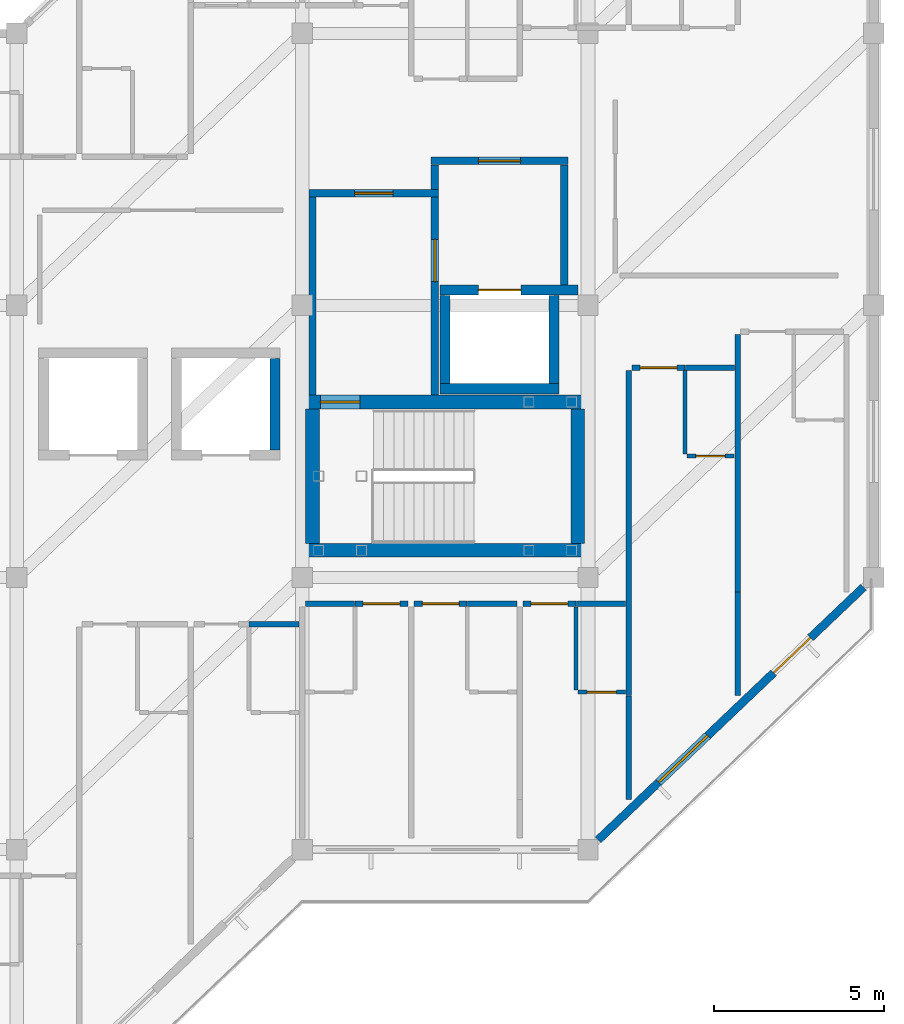
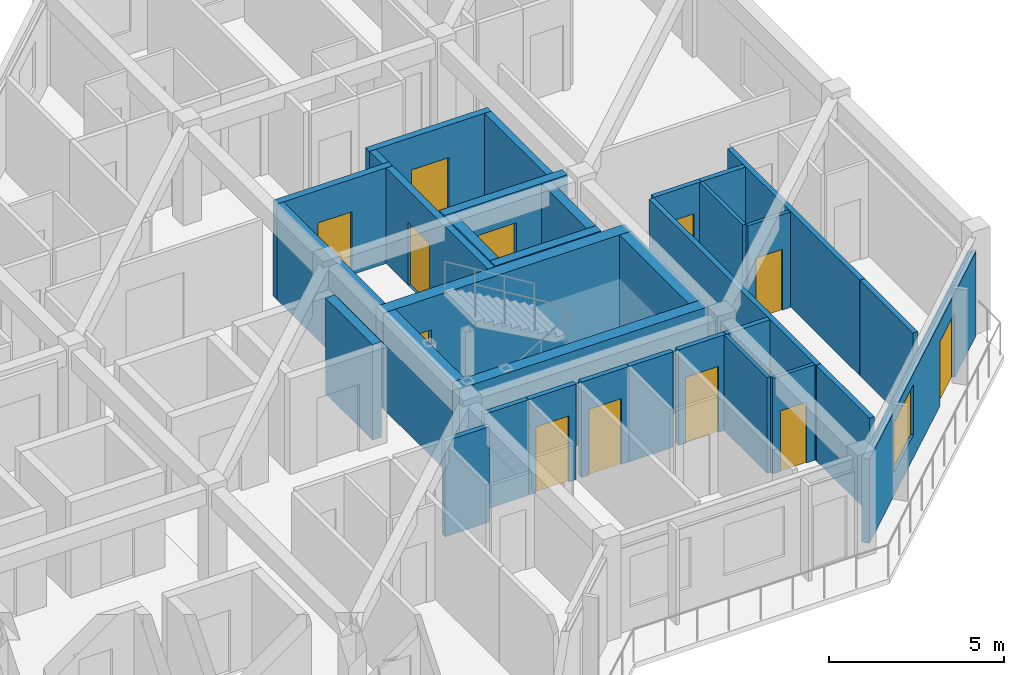
# One storey, part 9 of 14: 33 walls, 12 doors, 1 window, 13 openings.
"""IFC4 building model written with IfcOpenShell, lengths in metres."""

from ifc_helpers import new_model, si_unit, direction, frame, frame_2d, origin, place, context, subcontext, project, spatial, rectangle, extrude, material, layer, layer_set, type_object, element, fill, save


model = new_model("IFC4")

# Units and contexts
model_context = context("Model", 3, precision=1e-05, world=origin(), true_north=direction((0.0, 1.0)))
body_context = subcontext(model_context, "Body", "Model", "MODEL_VIEW")
ifc_project = project(units=[si_unit("LENGTHUNIT", "METRE"), si_unit("AREAUNIT", "SQUARE_METRE"), si_unit("VOLUMEUNIT", "CUBIC_METRE"), si_unit("PLANEANGLEUNIT", "RADIAN"), si_unit("MASSUNIT", "GRAM", prefix="KILO")], contexts=[model_context])

# Site, building, storey
site_placement = place(None, origin())
site = spatial("IfcSite", under=ifc_project, at=site_placement, CompositionType="ELEMENT")
building_placement = place(site_placement, origin())
building = spatial("IfcBuilding", under=site, at=building_placement, Name="Naruveol Harbour Congress Hotel", CompositionType="ELEMENT")
storey_placement = place(building_placement, frame((0.0, 0.0, 39.60009765625)))
storey = spatial("IfcBuildingStorey", under=building, at=storey_placement, Name="L09", CompositionType="ELEMENT", Elevation=39.60009765625)

# Wall
ifc_material_1 = material(Name="Moisture-Resistant Gypsum Partition", Category="gypsum")
ifc_layer_1 = layer(ifc_material_1, 0.114990234375)
ifc_layer_set_1 = layer_set([ifc_layer_1], Name="Moisture-Resistant Gypsum Partition")
wall_type_1 = type_object("IfcWallType", Name="BATHROOM MOISTURE PARTITION WALL 115", PredefinedType="PARTITIONING", material=ifc_layer_set_1)
wall_1_placement = place(storey_placement, frame((159.25, 12.68994140625, 0.0), z_axis=(0.0, 0.0, 1.0), x_axis=(0.0, 1.0, 0.0)))
element("IfcWall", 1, at=wall_1_placement, inside=storey, type_object=wall_type_1, Name="Bathroom west wall 1063 PW-115", PredefinedType="PARTITIONING", context=body_context, shape_type="SweptSolid", body=[
    extrude(rectangle(XDim=2.449951171875, YDim=0.114990234375, at=frame_2d((1.22509765625, 0.0))), origin(), (0.0, 0.0, 1.0), 3.3349609375),
])

# Wall, opening, door
wall_2_placement = place(storey_placement, frame((159.31005859375, 12.6298828125, 0.0), z_axis=(0.0, 0.0, 1.0), x_axis=(1.0, 0.0, 0.0)))
wall_2 = element("IfcWall", 2, at=wall_2_placement, inside=storey, type_object=wall_type_1, Name="Bathroom south wall 1063 PW-115", PredefinedType="PARTITIONING", context=body_context, shape_type="SweptSolid", body=[
    extrude(rectangle(XDim=1.389892578125, YDim=0.114990234375, at=frame_2d((0.69482421875, 0.0))), origin(), (0.0, 0.0, 1.0), 3.3349609375),
])
opening_1_placement = place(wall_2_placement, frame((0.264892578125, 0.0, 0.0)))
opening_1 = element("IfcOpeningElement", 3, at=opening_1_placement, cuts=wall_2, Name="Opening BD-RM1063", PredefinedType="OPENING", context=body_context, shape_type="SweptSolid", body=[
    extrude(rectangle(XDim=0.860107421875, YDim=2.1201171875, at=frame_2d((0.43017578125, 1.06005859375))), frame((0.0, 0.0673828125, 0.0), z_axis=(0.0, -1.0, 0.0), x_axis=(1.0, 0.0, 0.0)), (0.0, 0.0, 1.0), 0.135009765625),
])
ifc_material_2 = material(Name="Timber & Steel Acoustic Leaf", Category="steel")
door_type_1 = type_object("IfcDoorType", Name="GUEST BATHROOM DOOR 860X2120", OperationType="NOTDEFINED", PredefinedType="DOOR", material=ifc_material_2)
door_1_placement = place(opening_1_placement, origin())
door_1 = element("IfcDoor", 4, at=door_1_placement, inside=storey, type_object=door_type_1, Name="Bathroom Door 1063", OperationType="SINGLE_SWING_RIGHT", OverallHeight=2.1201171875, OverallWidth=0.860107421875, PredefinedType="DOOR", context=body_context, shape_type="SweptSolid", body=[
    extrude(rectangle(XDim=0.860107421875, YDim=2.1201171875, at=frame_2d((0.43017578125, 1.06005859375))), frame((0.0, 0.02490234375, 0.0), z_axis=(0.0, -1.0, 0.0), x_axis=(1.0, 0.0, 0.0)), (0.0, 0.0, 1.0), 0.050048828125),
])
fill(opening_1, door_1)

# Wall
wall_3_placement = place(storey_placement, frame((162.449951171875, 19.6298828125, 0.0), z_axis=(0.0, 0.0, 1.0), x_axis=(0.0, 1.0, 0.0)))
element("IfcWall", 5, at=wall_3_placement, inside=storey, type_object=wall_type_1, Name="Bathroom west wall 1064 PW-115", PredefinedType="PARTITIONING", context=body_context, shape_type="SweptSolid", body=[
    extrude(rectangle(XDim=2.4501953125, YDim=0.114990234375, at=frame_2d((1.22509765625, 0.0))), origin(), (0.0, 0.0, 1.0), 3.3349609375),
])

# Wall, opening, door
wall_4_placement = place(storey_placement, frame((162.510009765625, 19.570068359375, 0.0), z_axis=(0.0, 0.0, 1.0), x_axis=(1.0, 0.0, 0.0)))
wall_4 = element("IfcWall", 6, at=wall_4_placement, inside=storey, type_object=wall_type_1, Name="Bathroom south wall 1064 PW-115", PredefinedType="PARTITIONING", context=body_context, shape_type="SweptSolid", body=[
    extrude(rectangle(XDim=1.389892578125, YDim=0.114990234375, at=frame_2d((0.69482421875, 0.0))), origin(), (0.0, 0.0, 1.0), 3.3349609375),
])
opening_2_placement = place(wall_4_placement, frame((0.264892578125, 0.0, 0.0)))
opening_2 = element("IfcOpeningElement", 7, at=opening_2_placement, cuts=wall_4, Name="Opening BD-RM1064", PredefinedType="OPENING", context=body_context, shape_type="SweptSolid", body=[
    extrude(rectangle(XDim=0.860107421875, YDim=2.1201171875, at=frame_2d((0.43017578125, 1.06005859375))), frame((0.0, 0.0673828125, 0.0), z_axis=(0.0, -1.0, 0.0), x_axis=(1.0, 0.0, 0.0)), (0.0, 0.0, 1.0), 0.135009765625),
])
door_2_placement = place(opening_2_placement, origin())
door_2 = element("IfcDoor", 8, at=door_2_placement, inside=storey, type_object=door_type_1, Name="Bathroom Door 1064", OperationType="SINGLE_SWING_RIGHT", OverallHeight=2.1201171875, OverallWidth=0.860107421875, PredefinedType="DOOR", context=body_context, shape_type="SweptSolid", body=[
    extrude(rectangle(XDim=0.860107421875, YDim=2.1201171875, at=frame_2d((0.43017578125, 1.06005859375))), frame((0.0, 0.02490234375, 0.0), z_axis=(0.0, -1.0, 0.0), x_axis=(1.0, 0.0, 0.0)), (0.0, 0.0, 1.0), 0.050048828125),
])
fill(opening_2, door_2)

# Wall
ifc_material_3 = material(Name="Concrete C40/50", Category="concrete")
ifc_layer_2 = layer(ifc_material_3, 0.219970703125)
ifc_layer_set_2 = layer_set([ifc_layer_2], Name="Concrete C40/50")
wall_type_2 = type_object("IfcWallType", Name="FIRE COMPARTMENT AND LOBBY WALL 220 EI120", PredefinedType="PARTITIONING", material=ifc_layer_set_2)
wall_5_placement = place(storey_placement, frame((151.5, 21.364990234375, 0.0), z_axis=(0.0, 0.0, 1.0), x_axis=(0.0, 1.0, 0.0)))
element("IfcWall", 9, at=wall_5_placement, inside=storey, type_object=wall_type_2, Name="Smoke vestibule ST2 west wall FW-220", PredefinedType="PARTITIONING", context=body_context, shape_type="SweptSolid", body=[
    extrude(rectangle(XDim=5.820068359375, YDim=0.219970703125, at=frame_2d((2.91015625, 0.0))), origin(), (0.0, 0.0, 1.0), 3.3349609375),
])

# Wall, opening, door
wall_6_placement = place(storey_placement, frame((151.389892578125, 27.300048828125, 0.0), z_axis=(0.0, 0.0, 1.0), x_axis=(1.0, 0.0, 0.0)))
wall_6 = element("IfcWall", 10, at=wall_6_placement, inside=storey, type_object=wall_type_2, Name="Smoke vestibule ST2 north wall FW-220", PredefinedType="PARTITIONING", context=body_context, shape_type="SweptSolid", body=[
    extrude(rectangle(XDim=3.820068359375, YDim=0.219970703125, at=frame_2d((1.91015625, 0.0))), origin(), (0.0, 0.0, 1.0), 3.3349609375),
])
opening_3_placement = place(wall_6_placement, frame((1.35009765625, 0.0, 0.0)))
opening_3 = element("IfcOpeningElement", 11, at=opening_3_placement, cuts=wall_6, Name="Opening FD-ST2-V-L09", PredefinedType="OPENING", context=body_context, shape_type="SweptSolid", body=[
    extrude(rectangle(XDim=1.1201171875, YDim=2.199951171875, at=frame_2d((0.56005859375, 1.10009765625))), frame((0.0, 0.119873046875, 0.0), z_axis=(0.0, -1.0, 0.0), x_axis=(1.0, 0.0, 0.0)), (0.0, 0.0, 1.0), 0.239990234375),
])
ifc_material_4 = material(Name="Timber & Steel Acoustic Leaf", Category="steel")
door_type_2 = type_object("IfcDoorType", Name="VESTIBULE SMOKE CONTROL FIRE DOOR 1120X2200", OperationType="NOTDEFINED", PredefinedType="DOOR", material=ifc_material_4)
door_3_placement = place(opening_3_placement, origin())
door_3 = element("IfcDoor", 12, at=door_3_placement, inside=storey, type_object=door_type_2, Name="Smoke Vestibule Entry Door ST2 L09", OperationType="SINGLE_SWING_LEFT", OverallHeight=2.199951171875, OverallWidth=1.1201171875, PredefinedType="DOOR", context=body_context, shape_type="SweptSolid", body=[
    extrude(rectangle(XDim=1.1201171875, YDim=2.199951171875, at=frame_2d((0.56005859375, 1.10009765625))), frame((0.0, 0.02490234375, 0.0), z_axis=(0.0, -1.0, 0.0), x_axis=(1.0, 0.0, 0.0)), (0.0, 0.0, 1.0), 0.050048828125),
])
fill(opening_3, door_3)

wall_7_placement = place(storey_placement, frame((155.10009765625, 21.364990234375, 0.0), z_axis=(0.0, 0.0, 1.0), x_axis=(0.0, 1.0, 0.0)))
wall_7 = element("IfcWall", 13, at=wall_7_placement, inside=storey, type_object=wall_type_2, Name="Smoke vestibule ST2 east wall FW-220", PredefinedType="PARTITIONING", context=body_context, shape_type="SweptSolid", body=[
    extrude(rectangle(XDim=5.820068359375, YDim=0.219970703125, at=frame_2d((2.91015625, 0.0))), origin(), (0.0, 0.0, 1.0), 3.3349609375),
])
opening_4_placement = place(wall_7_placement, frame((3.3349609375, 0.0, 0.0)))
opening_4 = element("IfcOpeningElement", 14, at=opening_4_placement, cuts=wall_7, Name="Opening FD-FFL-ST2-L09", PredefinedType="OPENING", context=body_context, shape_type="SweptSolid", body=[
    extrude(rectangle(XDim=1.239990234375, YDim=2.199951171875, at=frame_2d((0.6201171875, 1.10009765625))), frame((0.0, 0.119873046875, 0.0), z_axis=(0.0, -1.0, 0.0), x_axis=(1.0, 0.0, 0.0)), (0.0, 0.0, 1.0), 0.239990234375),
])
ifc_material_5 = material(Name="Timber & Steel Acoustic Leaf", Category="steel")
door_type_3 = type_object("IfcDoorType", Name="FIREFIGHTING LOBBY FIRE DOOR 1240X2200", OperationType="NOTDEFINED", PredefinedType="DOOR", material=ifc_material_5)
door_4_placement = place(opening_4_placement, origin())
door_4 = element("IfcDoor", 15, at=door_4_placement, inside=storey, type_object=door_type_3, Name="Firefighting Lobby Vestibule Door ST2 L09", OperationType="SINGLE_SWING_RIGHT", OverallHeight=2.199951171875, OverallWidth=1.239990234375, PredefinedType="DOOR", context=body_context, shape_type="SweptSolid", body=[
    extrude(rectangle(XDim=1.239990234375, YDim=2.199951171875, at=frame_2d((0.6201171875, 1.10009765625))), frame((0.0, 0.02490234375, 0.0), z_axis=(0.0, -1.0, 0.0), x_axis=(1.0, 0.0, 0.0)), (0.0, 0.0, 1.0), 0.050048828125),
])
fill(opening_4, door_4)

# Walls
wall_8_placement = place(storey_placement, frame((155.10009765625, 27.4150390625, 0.0), z_axis=(0.0, 0.0, 1.0), x_axis=(0.0, 1.0, 0.0)))
element("IfcWall", 16, at=wall_8_placement, inside=storey, type_object=wall_type_2, Name="Firefighting lift lobby ST2 upper west wall FW-220", PredefinedType="PARTITIONING", context=body_context, shape_type="SweptSolid", body=[
    extrude(rectangle(XDim=0.719970703125, YDim=0.219970703125, at=frame_2d((0.35986328125, 0.0))), origin(), (0.0, 0.0, 1.0), 3.3349609375),
])
wall_9_placement = place(storey_placement, frame((158.89990234375, 24.60498046875, 0.0), z_axis=(0.0, 0.0, 1.0), x_axis=(0.0, 1.0, 0.0)))
element("IfcWall", 17, at=wall_9_placement, inside=storey, type_object=wall_type_2, Name="Firefighting lift lobby ST2 east wall FW-220", PredefinedType="PARTITIONING", context=body_context, shape_type="SweptSolid", body=[
    extrude(rectangle(XDim=3.530029296875, YDim=0.219970703125, at=frame_2d((1.76513671875, 0.0))), origin(), (0.0, 0.0, 1.0), 3.3349609375),
])

# Wall, opening, door
wall_10_placement = place(storey_placement, frame((154.989990234375, 28.25, 0.0), z_axis=(0.0, 0.0, 1.0), x_axis=(1.0, 0.0, 0.0)))
wall_10 = element("IfcWall", 18, at=wall_10_placement, inside=storey, type_object=wall_type_2, Name="Firefighting lift lobby ST2 north wall FW-220", PredefinedType="PARTITIONING", context=body_context, shape_type="SweptSolid", body=[
    extrude(rectangle(XDim=4.02001953125, YDim=0.219970703125, at=frame_2d((2.010009765625, 0.0))), origin(), (0.0, 0.0, 1.0), 3.3349609375),
])
opening_5_placement = place(wall_10_placement, frame((1.389892578125, 0.0, 0.0)))
opening_5 = element("IfcOpeningElement", 19, at=opening_5_placement, cuts=wall_10, Name="Opening FD-FFC-ST2-L09", PredefinedType="OPENING", context=body_context, shape_type="SweptSolid", body=[
    extrude(rectangle(XDim=1.239990234375, YDim=2.199951171875, at=frame_2d((0.6201171875, 1.10009765625))), frame((0.0, 0.119873046875, 0.0), z_axis=(0.0, -1.0, 0.0), x_axis=(1.0, 0.0, 0.0)), (0.0, 0.0, 1.0), 0.239990234375),
])
door_5_placement = place(opening_5_placement, origin())
door_5 = element("IfcDoor", 20, at=door_5_placement, inside=storey, type_object=door_type_3, Name="Firefighting Lobby Corridor Door ST2 L09", OperationType="SINGLE_SWING_LEFT", OverallHeight=2.199951171875, OverallWidth=1.239990234375, PredefinedType="DOOR", context=body_context, shape_type="SweptSolid", body=[
    extrude(rectangle(XDim=1.239990234375, YDim=2.199951171875, at=frame_2d((0.6201171875, 1.10009765625))), frame((0.0, 0.02490234375, 0.0), z_axis=(0.0, -1.0, 0.0), x_axis=(1.0, 0.0, 0.0)), (0.0, 0.0, 1.0), 0.050048828125),
])
fill(opening_5, door_5)

# Walls
ifc_material_6 = material(Name="Autoclaved Aerated Concrete Block", Category="concrete")
ifc_layer_3 = layer(ifc_material_6, 0.159912109375)
ifc_layer_set_3 = layer_set([ifc_layer_3], Name="Autoclaved Aerated Concrete Block")
wall_type_3 = type_object("IfcWallType", Name="HOTEL PARTY AND CORRIDOR WALL 160 EI60", PredefinedType="PARTITIONING", material=ifc_layer_set_3)
wall_11_placement = place(storey_placement, frame((149.639892578125, 14.6298828125, 0.0), z_axis=(0.0, 0.0, 1.0), x_axis=(1.0, 0.0, 0.0)))
element("IfcWall", 21, at=wall_11_placement, inside=storey, type_object=wall_type_3, Name="Corridor wall 1060B PW-160", PredefinedType="PARTITIONING", context=body_context, shape_type="SweptSolid", body=[
    extrude(rectangle(XDim=1.47021484375, YDim=0.159912109375, at=frame_2d((0.735107421875, 0.0))), origin(), (0.0, 0.0, 1.0), 3.3349609375),
])
wall_12_placement = place(storey_placement, frame((151.2900390625, 15.22998046875, 0.0), z_axis=(0.0, 0.0, 1.0), x_axis=(1.0, 0.0, 0.0)))
element("IfcWall", 22, at=wall_12_placement, inside=storey, type_object=wall_type_3, Name="Corridor wall 1061B PW-160", PredefinedType="PARTITIONING", context=body_context, shape_type="SweptSolid", body=[
    extrude(rectangle(XDim=1.449951171875, YDim=0.159912109375, at=frame_2d((0.72509765625, 0.0))), origin(), (0.0, 0.0, 1.0), 3.3349609375),
])

# Wall, opening, door
wall_13_placement = place(storey_placement, frame((152.75, 15.22998046875, 0.0), z_axis=(0.0, 0.0, 1.0), x_axis=(1.0, 0.0, 0.0)))
wall_13 = element("IfcWall", 23, at=wall_13_placement, inside=storey, type_object=wall_type_3, Name="Corridor entry wall 1061 PW-160", PredefinedType="PARTITIONING", context=body_context, shape_type="SweptSolid", body=[
    extrude(rectangle(XDim=1.56005859375, YDim=0.159912109375, at=frame_2d((0.780029296875, 0.0))), origin(), (0.0, 0.0, 1.0), 3.3349609375),
])
opening_6_placement = place(wall_13_placement, frame((0.239990234375, 0.0, 0.0)))
opening_6 = element("IfcOpeningElement", 24, at=opening_6_placement, cuts=wall_13, Name="Opening FD-RM1061", PredefinedType="OPENING", context=body_context, shape_type="SweptSolid", body=[
    extrude(rectangle(XDim=1.080078125, YDim=2.300048828125, at=frame_2d((0.5400390625, 1.14990234375))), frame((0.0, 0.08984375, 0.0), z_axis=(0.0, -1.0, 0.0), x_axis=(1.0, 0.0, 0.0)), (0.0, 0.0, 1.0), 0.179931640625),
])
ifc_material_7 = material(Name="Timber & Steel Acoustic Leaf", Category="steel")
door_type_4 = type_object("IfcDoorType", Name="SUITE ENTRANCE FIRE DOOR 1080X2300", OperationType="NOTDEFINED", PredefinedType="DOOR", material=ifc_material_7)
door_6_placement = place(opening_6_placement, origin())
door_6 = element("IfcDoor", 25, at=door_6_placement, inside=storey, type_object=door_type_4, Name="Hotel Room Door 1061", OperationType="SINGLE_SWING_LEFT", OverallHeight=2.300048828125, OverallWidth=1.080078125, PredefinedType="DOOR", context=body_context, shape_type="SweptSolid", body=[
    extrude(rectangle(XDim=1.080078125, YDim=2.300048828125, at=frame_2d((0.5400390625, 1.14990234375))), frame((0.0, 0.02490234375, 0.0), z_axis=(0.0, -1.0, 0.0), x_axis=(1.0, 0.0, 0.0)), (0.0, 0.0, 1.0), 0.050048828125),
])
fill(opening_6, door_6)

wall_14_placement = place(storey_placement, frame((154.489990234375, 15.22998046875, 0.0), z_axis=(0.0, 0.0, 1.0), x_axis=(1.0, 0.0, 0.0)))
wall_14 = element("IfcWall", 26, at=wall_14_placement, inside=storey, type_object=wall_type_3, Name="Corridor entry wall 1062 PW-160", PredefinedType="PARTITIONING", context=body_context, shape_type="SweptSolid", body=[
    extrude(rectangle(XDim=1.56005859375, YDim=0.159912109375, at=frame_2d((0.780029296875, 0.0))), origin(), (0.0, 0.0, 1.0), 3.3349609375),
])
opening_7_placement = place(wall_14_placement, frame((0.239990234375, 0.0, 0.0)))
opening_7 = element("IfcOpeningElement", 27, at=opening_7_placement, cuts=wall_14, Name="Opening FD-RM1062", PredefinedType="OPENING", context=body_context, shape_type="SweptSolid", body=[
    extrude(rectangle(XDim=1.080078125, YDim=2.300048828125, at=frame_2d((0.5400390625, 1.14990234375))), frame((0.0, 0.08984375, 0.0), z_axis=(0.0, -1.0, 0.0), x_axis=(1.0, 0.0, 0.0)), (0.0, 0.0, 1.0), 0.179931640625),
])
door_7_placement = place(opening_7_placement, origin())
door_7 = element("IfcDoor", 28, at=door_7_placement, inside=storey, type_object=door_type_4, Name="Hotel Room Door 1062", OperationType="SINGLE_SWING_LEFT", OverallHeight=2.300048828125, OverallWidth=1.080078125, PredefinedType="DOOR", context=body_context, shape_type="SweptSolid", body=[
    extrude(rectangle(XDim=1.080078125, YDim=2.300048828125, at=frame_2d((0.5400390625, 1.14990234375))), frame((0.0, 0.02490234375, 0.0), z_axis=(0.0, -1.0, 0.0), x_axis=(1.0, 0.0, 0.0)), (0.0, 0.0, 1.0), 0.050048828125),
])
fill(opening_7, door_7)

# Wall
wall_15_placement = place(storey_placement, frame((156.06005859375, 15.22998046875, 0.0), z_axis=(0.0, 0.0, 1.0), x_axis=(1.0, 0.0, 0.0)))
element("IfcWall", 29, at=wall_15_placement, inside=storey, type_object=wall_type_3, Name="Corridor wall 1062B PW-160", PredefinedType="PARTITIONING", context=body_context, shape_type="SweptSolid", body=[
    extrude(rectangle(XDim=1.449951171875, YDim=0.159912109375, at=frame_2d((0.72509765625, 0.0))), origin(), (0.0, 0.0, 1.0), 3.3349609375),
])

# Wall, opening, door
wall_16_placement = place(storey_placement, frame((157.68994140625, 15.22998046875, 0.0), z_axis=(0.0, 0.0, 1.0), x_axis=(1.0, 0.0, 0.0)))
wall_16 = element("IfcWall", 30, at=wall_16_placement, inside=storey, type_object=wall_type_3, Name="Corridor entry wall 1063 PW-160", PredefinedType="PARTITIONING", context=body_context, shape_type="SweptSolid", body=[
    extrude(rectangle(XDim=1.56005859375, YDim=0.159912109375, at=frame_2d((0.780029296875, 0.0))), origin(), (0.0, 0.0, 1.0), 3.3349609375),
])
opening_8_placement = place(wall_16_placement, frame((0.239990234375, 0.0, 0.0)))
opening_8 = element("IfcOpeningElement", 31, at=opening_8_placement, cuts=wall_16, Name="Opening FD-RM1063", PredefinedType="OPENING", context=body_context, shape_type="SweptSolid", body=[
    extrude(rectangle(XDim=1.080078125, YDim=2.300048828125, at=frame_2d((0.5400390625, 1.14990234375))), frame((0.0, 0.08984375, 0.0), z_axis=(0.0, -1.0, 0.0), x_axis=(1.0, 0.0, 0.0)), (0.0, 0.0, 1.0), 0.179931640625),
])
door_8_placement = place(opening_8_placement, origin())
door_8 = element("IfcDoor", 32, at=door_8_placement, inside=storey, type_object=door_type_4, Name="Hotel Room Door 1063", OperationType="SINGLE_SWING_LEFT", OverallHeight=2.300048828125, OverallWidth=1.080078125, PredefinedType="DOOR", context=body_context, shape_type="SweptSolid", body=[
    extrude(rectangle(XDim=1.080078125, YDim=2.300048828125, at=frame_2d((0.5400390625, 1.14990234375))), frame((0.0, 0.02490234375, 0.0), z_axis=(0.0, -1.0, 0.0), x_axis=(1.0, 0.0, 0.0)), (0.0, 0.0, 1.0), 0.050048828125),
])
fill(opening_8, door_8)

# Walls
wall_17_placement = place(storey_placement, frame((159.260009765625, 15.22998046875, 0.0), z_axis=(0.0, 0.0, 1.0), x_axis=(1.0, 0.0, 0.0)))
element("IfcWall", 33, at=wall_17_placement, inside=storey, type_object=wall_type_3, Name="Corridor wall 1063B PW-160", PredefinedType="PARTITIONING", context=body_context, shape_type="SweptSolid", body=[
    extrude(rectangle(XDim=1.449951171875, YDim=0.159912109375, at=frame_2d((0.72509765625, 0.0))), origin(), (0.0, 0.0, 1.0), 3.3349609375),
])
wall_18_placement = place(storey_placement, frame((160.800048828125, 9.47998046875, 0.0), z_axis=(0.0, 0.0, 1.0), x_axis=(0.0, 1.0, 0.0)))
element("IfcWall", 34, at=wall_18_placement, inside=storey, type_object=wall_type_3, Name="Hotel end party wall 1063 PW-160", PredefinedType="PARTITIONING", context=body_context, shape_type="SweptSolid", body=[
    extrude(rectangle(XDim=3.0400390625, YDim=0.159912109375, at=frame_2d((1.52001953125, 0.0))), origin(), (0.0, 0.0, 1.0), 3.3349609375),
])

# Wall, opening, door
wall_19_placement = place(storey_placement, frame((160.889892578125, 22.169921875, 0.0), z_axis=(0.0, 0.0, 1.0), x_axis=(1.0, 0.0, 0.0)))
wall_19 = element("IfcWall", 35, at=wall_19_placement, inside=storey, type_object=wall_type_3, Name="Corridor entry wall 1064 PW-160", PredefinedType="PARTITIONING", context=body_context, shape_type="SweptSolid", body=[
    extrude(rectangle(XDim=1.56005859375, YDim=0.159912109375, at=frame_2d((0.780029296875, 0.0))), origin(), (0.0, 0.0, 1.0), 3.3349609375),
])
opening_9_placement = place(wall_19_placement, frame((0.239990234375, 0.0, 0.0)))
opening_9 = element("IfcOpeningElement", 36, at=opening_9_placement, cuts=wall_19, Name="Opening FD-RM1064", PredefinedType="OPENING", context=body_context, shape_type="SweptSolid", body=[
    extrude(rectangle(XDim=1.080078125, YDim=2.300048828125, at=frame_2d((0.5400390625, 1.14990234375))), frame((0.0, 0.08984375, 0.0), z_axis=(0.0, -1.0, 0.0), x_axis=(1.0, 0.0, 0.0)), (0.0, 0.0, 1.0), 0.179931640625),
])
door_9_placement = place(opening_9_placement, origin())
door_9 = element("IfcDoor", 37, at=door_9_placement, inside=storey, type_object=door_type_4, Name="Hotel Room Door 1064", OperationType="SINGLE_SWING_LEFT", OverallHeight=2.300048828125, OverallWidth=1.080078125, PredefinedType="DOOR", context=body_context, shape_type="SweptSolid", body=[
    extrude(rectangle(XDim=1.080078125, YDim=2.300048828125, at=frame_2d((0.5400390625, 1.14990234375))), frame((0.0, 0.02490234375, 0.0), z_axis=(0.0, -1.0, 0.0), x_axis=(1.0, 0.0, 0.0)), (0.0, 0.0, 1.0), 0.050048828125),
])
fill(opening_9, door_9)

# Walls
wall_20_placement = place(storey_placement, frame((162.4599609375, 22.169921875, 0.0), z_axis=(0.0, 0.0, 1.0), x_axis=(1.0, 0.0, 0.0)))
element("IfcWall", 38, at=wall_20_placement, inside=storey, type_object=wall_type_3, Name="Corridor wall 1064B PW-160", PredefinedType="PARTITIONING", context=body_context, shape_type="SweptSolid", body=[
    extrude(rectangle(XDim=1.449951171875, YDim=0.159912109375, at=frame_2d((0.72509765625, 0.0))), origin(), (0.0, 0.0, 1.0), 3.3349609375),
])
wall_21_placement = place(storey_placement, frame((160.800048828125, 12.530029296875, 0.0), z_axis=(0.0, 0.0, 1.0), x_axis=(0.0, 1.0, 0.0)))
element("IfcWall", 39, at=wall_21_placement, inside=storey, type_object=wall_type_3, Name="Hotel party wall 1064 PW-160", PredefinedType="PARTITIONING", context=body_context, shape_type="SweptSolid", body=[
    extrude(rectangle(XDim=9.550048828125, YDim=0.159912109375, at=frame_2d((4.77490234375, 0.0))), origin(), (0.0, 0.0, 1.0), 3.3349609375),
])
wall_22_placement = place(storey_placement, frame((164.0, 12.530029296875, 0.0), z_axis=(0.0, 0.0, 1.0), x_axis=(0.0, 1.0, 0.0)))
element("IfcWall", 40, at=wall_22_placement, inside=storey, type_object=wall_type_3, Name="Hotel end party wall 1064 PW-160", PredefinedType="PARTITIONING", context=body_context, shape_type="SweptSolid", body=[
    extrude(rectangle(XDim=3.0400390625, YDim=0.159912109375, at=frame_2d((1.52001953125, 0.0))), origin(), (0.0, 0.0, 1.0), 3.3349609375),
])
wall_23_placement = place(storey_placement, frame((164.0, 15.580078125, 0.0), z_axis=(0.0, 0.0, 1.0), x_axis=(0.0, 1.0, 0.0)))
element("IfcWall", 41, at=wall_23_placement, inside=storey, type_object=wall_type_3, Name="Hotel party wall 1065 PW-160", PredefinedType="PARTITIONING", context=body_context, shape_type="SweptSolid", body=[
    extrude(rectangle(XDim=7.559814453125, YDim=0.159912109375, at=frame_2d((3.77978515625, 0.0))), origin(), (0.0, 0.0, 1.0), 3.3349609375),
])

# Wall, openings, window, door
ifc_material_8 = material(Name="Concrete C40/50", Category="concrete")
ifc_layer_4 = layer(ifc_material_8, 0.239990234375)
ifc_layer_set_4 = layer_set([ifc_layer_4], Name="Concrete C40/50")
wall_type_4 = type_object("IfcWallType", Name="INSULATED HOTEL SPANDREL WALL 240", PredefinedType="SOLIDWALL", material=ifc_layer_set_4)
wall_24_placement = place(storey_placement, frame((167.699951171875, 15.714111328125, 0.0), z_axis=(0.0, 0.0, 1.0), x_axis=(-0.724156257633, -0.689635928973, 0.0)))
wall_24 = element("IfcWall", 42, at=wall_24_placement, inside=storey, type_object=wall_type_4, Name="Hotel south waterfront wall L09 EW-240", PredefinedType="SOLIDWALL", context=body_context, shape_type="SweptSolid", body=[
    extrude(rectangle(XDim=10.771240234375, YDim=0.239990234375, at=frame_2d((5.3857421875, 0.0))), origin(), (0.0, 0.0, 1.0), 2.93994140625),
])
opening_10_placement = place(wall_24_placement, frame((2.14990234375, 0.0, 0.0)))
opening_10 = element("IfcOpeningElement", 43, at=opening_10_placement, cuts=wall_24, Name="Opening BD-150-072", PredefinedType="OPENING", context=body_context, shape_type="SweptSolid", body=[
    extrude(rectangle(XDim=1.5, YDim=2.25, at=frame_2d((0.75, 1.125))), frame((0.0, 0.1298828125, 0.0), z_axis=(0.0, -1.0, 0.0), x_axis=(1.0, 0.0, 0.0)), (0.0, 0.0, 1.0), 0.260009765625),
])
opening_11_placement = place(wall_24_placement, frame((6.319091796875, 0.0, 0.800048828125)))
opening_11 = element("IfcOpeningElement", 44, at=opening_11_placement, cuts=wall_24, Name="Opening W-05", PredefinedType="OPENING", context=body_context, shape_type="SweptSolid", body=[
    extrude(rectangle(XDim=2.0, YDim=1.75, at=frame_2d((1.0, 0.875))), frame((0.0, 0.1298828125, 0.0), z_axis=(0.0, -1.0, 0.0), x_axis=(1.0, 0.0, 0.0)), (0.0, 0.0, 1.0), 0.260009765625),
])
ifc_material_9 = material(Name="Low-E Triple Glazing in Thermal Aluminium", Category="aluminium")
window_type = type_object("IfcWindowType", Name="GARDEN SUITE WINDOW 2000X1750", PartitioningType="DOUBLE_PANEL_VERTICAL", PredefinedType="WINDOW", material=ifc_material_9)
window_placement = place(opening_11_placement, origin())
window = element("IfcWindow", 45, at=window_placement, inside=storey, type_object=window_type, Name="Window W-05 #468", OverallHeight=1.75, OverallWidth=2.0, PartitioningType="DOUBLE_PANEL_VERTICAL", PredefinedType="WINDOW", context=body_context, shape_type="SweptSolid", body=[
    extrude(rectangle(XDim=2.0, YDim=1.75, at=frame_2d((1.0, 0.875))), frame((0.0, 0.030029296875, 0.0), z_axis=(0.0, -1.0, 0.0), x_axis=(1.0, 0.0, 0.0)), (0.0, 0.0, 1.0), 0.06005859375),
])
fill(opening_11, window)
ifc_material_10 = material(Name="Powder-Coated Steel & Insulated Glazing", Category="steel")
door_type_5 = type_object("IfcDoorType", Name="SUITE BALCONY SLIDING DOOR 1500X2250", OperationType="SLIDING_TO_LEFT", PredefinedType="DOOR", material=ifc_material_10)
door_10_placement = place(opening_10_placement, origin())
door_10 = element("IfcDoor", 46, at=door_10_placement, inside=storey, type_object=door_type_5, Name="Exterior door BD-150-072", OperationType="SLIDING_TO_LEFT", OverallHeight=2.25, OverallWidth=1.5, PredefinedType="DOOR", context=body_context, shape_type="SweptSolid", body=[
    extrude(rectangle(XDim=1.5, YDim=2.25, at=frame_2d((0.75, 1.125))), frame((0.0, 0.02490234375, 0.0), z_axis=(0.0, -1.0, 0.0), x_axis=(1.0, 0.0, 0.0)), (0.0, 0.0, 1.0), 0.050048828125),
])
fill(opening_10, door_10)

# Walls
ifc_material_11 = material(Name="Concrete C50/60", Category="concrete")
ifc_layer_5 = layer(ifc_material_11, 0.39990234375)
ifc_layer_set_5 = layer_set([ifc_layer_5], Name="Concrete C50/60")
wall_type_5 = type_object("IfcWallType", Name="RC CORE SHEAR WALL 400 EI120", PredefinedType="SHEAR", material=ifc_layer_set_5)
wall_25_placement = place(storey_placement, frame((151.300048828125, 16.800048828125, 0.0), z_axis=(0.0, 0.0, 1.0), x_axis=(1.0, 0.0, 0.0)))
element("IfcWall", 47, at=wall_25_placement, inside=storey, type_object=wall_type_5, Name="Stair ST2 south core wall CW-400", PredefinedType="SHEAR", context=body_context, shape_type="SweptSolid", body=[
    extrude(rectangle(XDim=8.199951171875, YDim=0.39990234375, at=frame_2d((4.10009765625, 0.0))), origin(), (0.0, 0.0, 1.0), 3.3349609375),
])
wall_26_placement = place(storey_placement, frame((159.300048828125, 17.0048828125, 0.0), z_axis=(0.0, 0.0, 1.0), x_axis=(0.0, 1.0, 0.0)))
element("IfcWall", 48, at=wall_26_placement, inside=storey, type_object=wall_type_5, Name="Stair ST2 east core wall CW-400", PredefinedType="SHEAR", context=body_context, shape_type="SweptSolid", body=[
    extrude(rectangle(XDim=3.9501953125, YDim=0.39990234375, at=frame_2d((1.97509765625, 0.0))), origin(), (0.0, 0.0, 1.0), 3.3349609375),
])

# Wall, opening, door
wall_27_placement = place(storey_placement, frame((151.300048828125, 21.159912109375, 0.0), z_axis=(0.0, 0.0, 1.0), x_axis=(1.0, 0.0, 0.0)))
wall_27 = element("IfcWall", 49, at=wall_27_placement, inside=storey, type_object=wall_type_5, Name="Stair ST2 north core wall CW-400", PredefinedType="SHEAR", context=body_context, shape_type="SweptSolid", body=[
    extrude(rectangle(XDim=8.199951171875, YDim=0.39990234375, at=frame_2d((4.10009765625, 0.0))), origin(), (0.0, 0.0, 1.0), 3.3349609375),
])
opening_12_placement = place(wall_27_placement, frame((0.429931640625, 0.0, 0.0)))
opening_12 = element("IfcOpeningElement", 50, at=opening_12_placement, cuts=wall_27, Name="Opening FD-ST2-S-L09", PredefinedType="OPENING", context=body_context, shape_type="SweptSolid", body=[
    extrude(rectangle(XDim=1.159912109375, YDim=2.199951171875, at=frame_2d((0.580078125, 1.10009765625))), frame((0.0, 0.2099609375, 0.0), z_axis=(0.0, -1.0, 0.0), x_axis=(1.0, 0.0, 0.0)), (0.0, 0.0, 1.0), 0.419921875),
])
ifc_material_12 = material(Name="Timber & Steel Acoustic Leaf", Category="steel")
door_type_6 = type_object("IfcDoorType", Name="SPECIAL ESCAPE STAIR FIRE DOOR 1160X2200", OperationType="NOTDEFINED", PredefinedType="DOOR", material=ifc_material_12)
door_11_placement = place(opening_12_placement, origin())
door_11 = element("IfcDoor", 51, at=door_11_placement, inside=storey, type_object=door_type_6, Name="Special Escape Stair Door ST2 L09", OperationType="SINGLE_SWING_RIGHT", OverallHeight=2.199951171875, OverallWidth=1.159912109375, PredefinedType="DOOR", context=body_context, shape_type="SweptSolid", body=[
    extrude(rectangle(XDim=1.159912109375, YDim=2.199951171875, at=frame_2d((0.580078125, 1.10009765625))), frame((0.0, 0.02490234375, 0.0), z_axis=(0.0, -1.0, 0.0), x_axis=(1.0, 0.0, 0.0)), (0.0, 0.0, 1.0), 0.050048828125),
])
fill(opening_12, door_11)

# Walls
wall_28_placement = place(storey_placement, frame((151.5, 17.0048828125, 0.0), z_axis=(0.0, 0.0, 1.0), x_axis=(0.0, 1.0, 0.0)))
element("IfcWall", 52, at=wall_28_placement, inside=storey, type_object=wall_type_5, Name="Stair ST2 west core wall CW-400", PredefinedType="SHEAR", context=body_context, shape_type="SweptSolid", body=[
    extrude(rectangle(XDim=3.9501953125, YDim=0.39990234375, at=frame_2d((1.97509765625, 0.0))), origin(), (0.0, 0.0, 1.0), 3.3349609375),
])
ifc_material_13 = material(Name="Concrete C50/60", Category="concrete")
ifc_layer_6 = layer(ifc_material_13, 0.300048828125)
ifc_layer_set_6 = layer_set([ifc_layer_6], Name="Concrete C50/60")
wall_type_6 = type_object("IfcWallType", Name="RC STAIR AND HOISTWAY SHEAR WALL 300 EI120", PredefinedType="SHEAR", material=ifc_layer_set_6)
wall_29_placement = place(storey_placement, frame((155.25, 21.550048828125, 0.0), z_axis=(0.0, 0.0, 1.0), x_axis=(1.0, 0.0, 0.0)))
element("IfcWall", 53, at=wall_29_placement, inside=storey, type_object=wall_type_6, Name="Hoistway south shear wall FL2 SW-300", PredefinedType="SHEAR", context=body_context, shape_type="SweptSolid", body=[
    extrude(rectangle(XDim=3.5, YDim=0.300048828125, at=frame_2d((1.75, 0.0))), origin(), (0.0, 0.0, 1.0), 3.3349609375),
])
wall_30_placement = place(storey_placement, frame((158.60009765625, 21.705078125, 0.0), z_axis=(0.0, 0.0, 1.0), x_axis=(0.0, 1.0, 0.0)))
element("IfcWall", 54, at=wall_30_placement, inside=storey, type_object=wall_type_6, Name="Hoistway east shear wall FL2 SW-300", PredefinedType="SHEAR", context=body_context, shape_type="SweptSolid", body=[
    extrude(rectangle(XDim=2.58984375, YDim=0.300048828125, at=frame_2d((1.294921875, 0.0))), origin(), (0.0, 0.0, 1.0), 3.3349609375),
])

# Wall, opening, door
wall_31_placement = place(storey_placement, frame((159.31005859375, 24.449951171875, 0.0), z_axis=(0.0, 0.0, 1.0), x_axis=(-1.0, 0.0, 0.0)))
wall_31 = element("IfcWall", 55, at=wall_31_placement, inside=storey, type_object=wall_type_6, Name="Hoistway north shear wall FL2 SW-300", PredefinedType="SHEAR", context=body_context, shape_type="SweptSolid", body=[
    extrude(rectangle(XDim=4.06005859375, YDim=0.300048828125, at=frame_2d((2.030029296875, 0.0))), origin(), (0.0, 0.0, 1.0), 3.3349609375),
])
opening_13_placement = place(wall_31_placement, frame((1.68505859375, 0.0, 0.0)))
opening_13 = element("IfcOpeningElement", 56, at=opening_13_placement, cuts=wall_31, Name="Opening LD-FL2-L09", PredefinedType="OPENING", context=body_context, shape_type="SweptSolid", body=[
    extrude(rectangle(XDim=1.25, YDim=2.25, at=frame_2d((0.625, 1.125))), frame((0.0, 0.159912109375, 0.0), z_axis=(0.0, -1.0, 0.0), x_axis=(1.0, 0.0, 0.0)), (0.0, 0.0, 1.0), 0.320068359375),
])
ifc_material_14 = material(Name="Stainless Steel Lift Door", Category="steel")
door_type_7 = type_object("IfcDoorType", Name="FIREFIGHTING LIFT LANDING DOOR 1250X2250", OperationType="DOUBLE_DOOR_SLIDING", PredefinedType="DOOR", material=ifc_material_14)
door_12_placement = place(opening_13_placement, origin())
door_12 = element("IfcDoor", 57, at=door_12_placement, inside=storey, type_object=door_type_7, Name="Elevator Landing Door FL2 L09", OperationType="DOUBLE_DOOR_SLIDING", OverallHeight=2.25, OverallWidth=1.25, PredefinedType="DOOR", context=body_context, shape_type="SweptSolid", body=[
    extrude(rectangle(XDim=1.25, YDim=2.25, at=frame_2d((0.625, 1.125))), frame((0.0, 0.02490234375, 0.0), z_axis=(0.0, -1.0, 0.0), x_axis=(1.0, 0.0, 0.0)), (0.0, 0.0, 1.0), 0.050048828125),
])
fill(opening_13, door_12)

# Walls
wall_32_placement = place(storey_placement, frame((155.39990234375, 24.294921875, 0.0), z_axis=(0.0, 0.0, 1.0), x_axis=(0.0, -1.0, 0.0)))
element("IfcWall", 58, at=wall_32_placement, inside=storey, type_object=wall_type_6, Name="Hoistway west shear wall FL2 SW-300", PredefinedType="SHEAR", context=body_context, shape_type="SweptSolid", body=[
    extrude(rectangle(XDim=2.58984375, YDim=0.300048828125, at=frame_2d((1.294921875, 0.0))), origin(), (0.0, 0.0, 1.0), 3.3349609375),
])
wall_33_placement = place(storey_placement, frame((150.39990234375, 19.7548828125, 0.0), z_axis=(0.0, 0.0, 1.0), x_axis=(0.0, 1.0, 0.0)))
element("IfcWall", 59, at=wall_33_placement, inside=storey, type_object=wall_type_6, Name="Hoistway east shear wall GL2 SW-300", PredefinedType="SHEAR", context=body_context, shape_type="SweptSolid", body=[
    extrude(rectangle(XDim=2.690185546875, YDim=0.300048828125, at=frame_2d((1.34521484375, 0.0))), origin(), (0.0, 0.0, 1.0), 3.3349609375),
])

save(model, "model.ifc")
